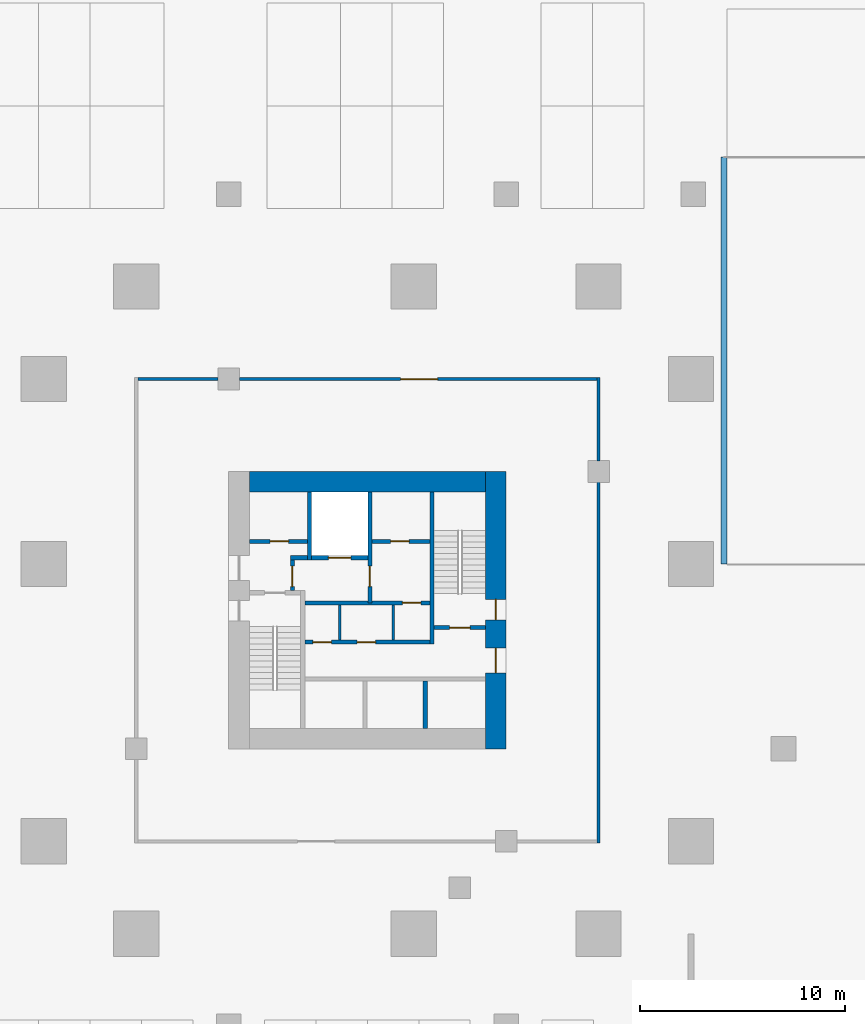
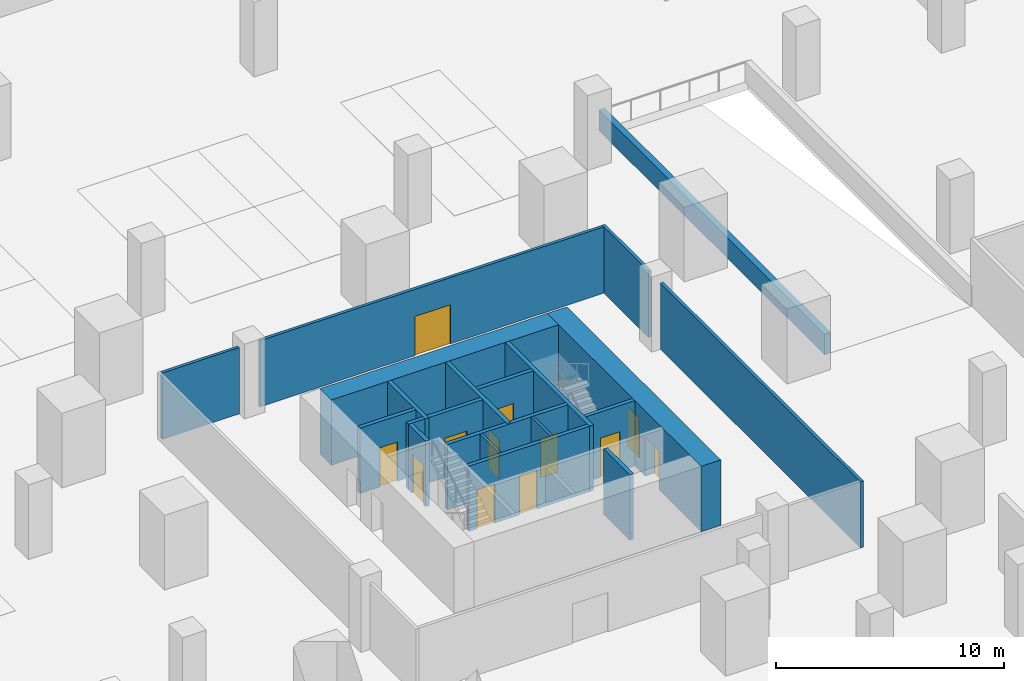
# One storey, part 8 of 31: 21 walls, 12 doors, 12 openings.
"""IFC4 building model written with IfcOpenShell, lengths in metres."""

from ifc_helpers import new_model, si_unit, direction, frame, frame_2d, origin, place, context, subcontext, project, spatial, rectangle, extrude, material, layer, layer_set, type_object, element, fill, save


model = new_model("IFC4")

# Units and contexts
model_context = context("Model", 3, precision=1e-05, world=origin(), true_north=direction((0.0, 1.0)))
body_context = subcontext(model_context, "Body", "Model", "MODEL_VIEW")
ifc_project = project(units=[si_unit("LENGTHUNIT", "METRE"), si_unit("AREAUNIT", "SQUARE_METRE"), si_unit("VOLUMEUNIT", "CUBIC_METRE"), si_unit("PLANEANGLEUNIT", "RADIAN"), si_unit("MASSUNIT", "GRAM", prefix="KILO")], contexts=[model_context])

# Site, building, storey
site_placement = place(None, origin())
site = spatial("IfcSite", under=ifc_project, at=site_placement, CompositionType="ELEMENT")
building_placement = place(site_placement, origin())
building = spatial("IfcBuilding", under=site, at=building_placement, Name="Altepetl Exchange Towers", CompositionType="ELEMENT")
storey_placement = place(building_placement, frame((0.0, 0.0, -4.0)))
storey = spatial("IfcBuildingStorey", under=building, at=storey_placement, Name="B1 Basement services", CompositionType="ELEMENT", Elevation=-4.0)

# Wall, openings, doors
ifc_material_1 = material(Name="Concrete C70/85", Category="concrete")
ifc_layer_1 = layer(ifc_material_1, 1.0)
ifc_layer_set_1 = layer_set([ifc_layer_1], Name="Concrete C70/85")
wall_type_1 = type_object("IfcWallType", Name="Core wall 1000 reinforced concrete", PredefinedType="SHEAR", material=ifc_layer_set_1)
wall_1_placement = place(storey_placement, frame((116.5, 36.0, 0.0), z_axis=(0.0, 0.0, 1.0), x_axis=(0.0, 1.0, 0.0)))
wall_1 = element("IfcWall", 1, at=wall_1_placement, inside=storey, type_object=wall_type_1, Name="wall:B:B1:K-coreE", PredefinedType="SHEAR", context=body_context, shape_type="SweptSolid", body=[
    extrude(rectangle(XDim=13.5, YDim=1.0, at=frame_2d((6.75, 0.0))), origin(), (0.0, 0.0, 1.0), 3.5),
])
opening_1_placement = place(wall_1_placement, frame((3.699951171875, 0.0, 0.0)))
opening_1 = element("IfcOpeningElement", 2, at=opening_1_placement, cuts=wall_1, Name="Opening B1.B61", PredefinedType="OPENING", context=body_context, shape_type="SweptSolid", body=[
    extrude(rectangle(XDim=1.199951171875, YDim=2.10009765625, at=frame_2d((0.60009765625, 1.050048828125))), frame((0.0, 0.510009765625, 0.0), z_axis=(0.0, -1.0, 0.0), x_axis=(1.0, 0.0, 0.0)), (0.0, 0.0, 1.0), 1.02001953125),
])
opening_2_placement = place(wall_1_placement, frame((6.27490234375, 0.0, 0.0)))
opening_2 = element("IfcOpeningElement", 3, at=opening_2_placement, cuts=wall_1, Name="Opening B1.B65", PredefinedType="OPENING", context=body_context, shape_type="SweptSolid", body=[
    extrude(rectangle(XDim=1.0, YDim=2.10009765625, at=frame_2d((0.5, 1.050048828125))), frame((0.0, 0.510009765625, 0.0), z_axis=(0.0, -1.0, 0.0), x_axis=(1.0, 0.0, 0.0)), (0.0, 0.0, 1.0), 1.02001953125),
])
ifc_material_2 = material(Name="Steel and timber fire door", Category="steel")
door_type_1 = type_object("IfcDoorType", Name="Fire door 1000 x 2100 stair and lobby", OperationType="SINGLE_SWING_LEFT", PredefinedType="DOOR", material=ifc_material_2)
door_1_placement = place(opening_2_placement, origin())
door_1 = element("IfcDoor", 4, at=door_1_placement, inside=storey, type_object=door_type_1, Name="door:B:B1:K-dS2x", OperationType="SINGLE_SWING_LEFT", OverallHeight=2.10009765625, OverallWidth=1.0, PredefinedType="DOOR", context=body_context, shape_type="SweptSolid", body=[
    extrude(rectangle(XDim=1.0, YDim=2.10009765625, at=frame_2d((0.5, 1.050048828125))), frame((0.0, 0.02490234375, 0.0), z_axis=(0.0, -1.0, 0.0), x_axis=(1.0, 0.0, 0.0)), (0.0, 0.0, 1.0), 0.050048828125),
])
fill(opening_2, door_1)
door_type_2 = type_object("IfcDoorType", Name="Fire door 1200 x 2100 lobby entry", OperationType="SINGLE_SWING_LEFT", PredefinedType="DOOR", material=ifc_material_2)
door_2_placement = place(opening_1_placement, origin())
door_2 = element("IfcDoor", 5, at=door_2_placement, inside=storey, type_object=door_type_2, Name="door:B:B1:K-dLSE", OperationType="SINGLE_SWING_RIGHT", OverallHeight=2.10009765625, OverallWidth=1.199951171875, PredefinedType="DOOR", context=body_context, shape_type="SweptSolid", body=[
    extrude(rectangle(XDim=1.199951171875, YDim=2.10009765625, at=frame_2d((0.60009765625, 1.050048828125))), frame((0.0, 0.02490234375, 0.0), z_axis=(0.0, -1.0, 0.0), x_axis=(1.0, 0.0, 0.0)), (0.0, 0.0, 1.0), 0.050048828125),
])
fill(opening_1, door_2)

# Walls
wall_2_placement = place(storey_placement, frame((104.5, 49.0, 0.0)))
element("IfcWall", 6, at=wall_2_placement, inside=storey, type_object=wall_type_1, Name="wall:B:B1:K-coreN", PredefinedType="SHEAR", context=body_context, shape_type="SweptSolid", body=[
    extrude(rectangle(XDim=11.5, YDim=1.0, at=frame_2d((5.75, 0.0))), origin(), (0.0, 0.0, 1.0), 3.5),
])
ifc_material_3 = material(Name="Concrete blockwork", Category="masonry")
ifc_layer_2 = layer(ifc_material_3, 0.199951171875)
ifc_layer_set_2 = layer_set([ifc_layer_2], Name="Concrete blockwork")
wall_type_2 = type_object("IfcWallType", Name="Lobby wall 200 blockwork", PredefinedType="PARTITIONING", material=ifc_layer_set_2)
wall_3_placement = place(storey_placement, frame((106.5, 45.300048828125, 0.0)))
element("IfcWall", 7, at=wall_3_placement, inside=storey, type_object=wall_type_2, Name="wall:B:B1:K-ffNw", PredefinedType="PARTITIONING", context=body_context, shape_type="SweptSolid", body=[
    extrude(rectangle(XDim=0.833251953125, YDim=0.199951171875, at=frame_2d((0.41650390625, 0.0))), origin(), (0.0, 0.0, 1.0), 3.5),
])

# Wall, opening, door
wall_4_placement = place(storey_placement, frame((106.60009765625, 43.699951171875, 0.0), z_axis=(0.0, 0.0, 1.0), x_axis=(0.0, 1.0, 0.0)))
wall_4 = element("IfcWall", 8, at=wall_4_placement, inside=storey, type_object=wall_type_2, Name="wall:B:B1:K-ffW", PredefinedType="PARTITIONING", context=body_context, shape_type="SweptSolid", body=[
    extrude(rectangle(XDim=1.5, YDim=0.199951171875, at=frame_2d((0.75, 0.0))), origin(), (0.0, 0.0, 1.0), 3.5),
])
opening_3_placement = place(wall_4_placement, frame((0.199951171875, 0.0, 0.0)))
opening_3 = element("IfcOpeningElement", 9, at=opening_3_placement, cuts=wall_4, Name="Opening B1.B67", PredefinedType="OPENING", context=body_context, shape_type="SweptSolid", body=[
    extrude(rectangle(XDim=1.0, YDim=2.10009765625, at=frame_2d((0.5, 1.050048828125))), frame((0.0, 0.10986328125, 0.0), z_axis=(0.0, -1.0, 0.0), x_axis=(1.0, 0.0, 0.0)), (0.0, 0.0, 1.0), 0.219970703125),
])
door_3_placement = place(opening_3_placement, frame((1.0, 0.0, 0.0), x_axis=(-1.0, 0.0, 0.0)))
door_3 = element("IfcDoor", 10, at=door_3_placement, inside=storey, type_object=door_type_1, Name="door:B:B1:K-dffW", OperationType="SINGLE_SWING_LEFT", OverallHeight=2.10009765625, OverallWidth=1.0, PredefinedType="DOOR", context=body_context, shape_type="SweptSolid", body=[
    extrude(rectangle(XDim=1.0, YDim=2.10009765625, at=frame_2d((0.5, 1.050048828125))), frame((0.0, 0.02490234375, 0.0), z_axis=(0.0, -1.0, 0.0), x_axis=(1.0, 0.0, 0.0)), (0.0, 0.0, 1.0), 0.050048828125),
])
fill(opening_3, door_3)

wall_5_placement = place(storey_placement, frame((107.199951171875, 43.10009765625, 0.0)))
wall_5 = element("IfcWall", 11, at=wall_5_placement, inside=storey, type_object=wall_type_2, Name="wall:B:B1:K-zoneN", PredefinedType="PARTITIONING", context=body_context, shape_type="SweptSolid", body=[
    extrude(rectangle(XDim=6.10009765625, YDim=0.199951171875, at=frame_2d((3.050048828125, 0.0))), origin(), (0.0, 0.0, 1.0), 3.5),
])
opening_4_placement = place(wall_5_placement, frame((4.75, 0.0, 0.0)))
opening_4 = element("IfcOpeningElement", 12, at=opening_4_placement, cuts=wall_5, Name="Opening B1.B72", PredefinedType="OPENING", context=body_context, shape_type="SweptSolid", body=[
    extrude(rectangle(XDim=0.89990234375, YDim=2.10009765625, at=frame_2d((0.449951171875, 1.050048828125))), frame((0.0, 0.10986328125, 0.0), z_axis=(0.0, -1.0, 0.0), x_axis=(1.0, 0.0, 0.0)), (0.0, 0.0, 1.0), 0.219970703125),
])
door_type_3 = type_object("IfcDoorType", Name="Fire door 900 x 2100 service room", OperationType="SINGLE_SWING_LEFT", PredefinedType="DOOR", material=ifc_material_2)
door_4_placement = place(opening_4_placement, frame((0.89990234375, 0.0, 0.0), x_axis=(-1.0, 0.0, 0.0)))
door_4 = element("IfcDoor", 13, at=door_4_placement, inside=storey, type_object=door_type_3, Name="door:B:B1:K-dz3", OperationType="SINGLE_SWING_RIGHT", OverallHeight=2.10009765625, OverallWidth=0.89990234375, PredefinedType="DOOR", context=body_context, shape_type="SweptSolid", body=[
    extrude(rectangle(XDim=0.89990234375, YDim=2.10009765625, at=frame_2d((0.449951171875, 1.050048828125))), frame((0.0, 0.02490234375, 0.0), z_axis=(0.0, -1.0, 0.0), x_axis=(1.0, 0.0, 0.0)), (0.0, 0.0, 1.0), 0.050048828125),
])
fill(opening_4, door_4)

# Wall, openings, doors
wall_6_placement = place(storey_placement, frame((107.199951171875, 41.199951171875, 0.0)))
wall_6 = element("IfcWall", 14, at=wall_6_placement, inside=storey, type_object=wall_type_2, Name="wall:B:B1:K-zoneS", PredefinedType="PARTITIONING", context=body_context, shape_type="SweptSolid", body=[
    extrude(rectangle(XDim=6.10009765625, YDim=0.199951171875, at=frame_2d((3.050048828125, 0.0))), origin(), (0.0, 0.0, 1.0), 3.5),
])
opening_5_placement = place(wall_6_placement, frame((0.39990234375, 0.0, 0.0)))
opening_5 = element("IfcOpeningElement", 15, at=opening_5_placement, cuts=wall_6, Name="Opening B1.B70", PredefinedType="OPENING", context=body_context, shape_type="SweptSolid", body=[
    extrude(rectangle(XDim=0.89990234375, YDim=2.10009765625, at=frame_2d((0.449951171875, 1.050048828125))), frame((0.0, 0.10986328125, 0.0), z_axis=(0.0, -1.0, 0.0), x_axis=(1.0, 0.0, 0.0)), (0.0, 0.0, 1.0), 0.219970703125),
])
opening_6_placement = place(wall_6_placement, frame((2.550048828125, 0.0, 0.0)))
opening_6 = element("IfcOpeningElement", 16, at=opening_6_placement, cuts=wall_6, Name="Opening B1.B71", PredefinedType="OPENING", context=body_context, shape_type="SweptSolid", body=[
    extrude(rectangle(XDim=0.89990234375, YDim=2.10009765625, at=frame_2d((0.449951171875, 1.050048828125))), frame((0.0, 0.10986328125, 0.0), z_axis=(0.0, -1.0, 0.0), x_axis=(1.0, 0.0, 0.0)), (0.0, 0.0, 1.0), 0.219970703125),
])
door_5_placement = place(opening_5_placement, origin())
door_5 = element("IfcDoor", 17, at=door_5_placement, inside=storey, type_object=door_type_3, Name="door:B:B1:K-dz1", OperationType="SINGLE_SWING_RIGHT", OverallHeight=2.10009765625, OverallWidth=0.89990234375, PredefinedType="DOOR", context=body_context, shape_type="SweptSolid", body=[
    extrude(rectangle(XDim=0.89990234375, YDim=2.10009765625, at=frame_2d((0.449951171875, 1.050048828125))), frame((0.0, 0.02490234375, 0.0), z_axis=(0.0, -1.0, 0.0), x_axis=(1.0, 0.0, 0.0)), (0.0, 0.0, 1.0), 0.050048828125),
])
fill(opening_5, door_5)
door_6_placement = place(opening_6_placement, origin())
door_6 = element("IfcDoor", 18, at=door_6_placement, inside=storey, type_object=door_type_3, Name="door:B:B1:K-dz2", OperationType="SINGLE_SWING_LEFT", OverallHeight=2.10009765625, OverallWidth=0.89990234375, PredefinedType="DOOR", context=body_context, shape_type="SweptSolid", body=[
    extrude(rectangle(XDim=0.89990234375, YDim=2.10009765625, at=frame_2d((0.449951171875, 1.050048828125))), frame((0.0, 0.02490234375, 0.0), z_axis=(0.0, -1.0, 0.0), x_axis=(1.0, 0.0, 0.0)), (0.0, 0.0, 1.0), 0.050048828125),
])
fill(opening_6, door_6)

# Walls
ifc_material_4 = material(Name="Gypsum board on steel studs", Category="steel")
ifc_layer_3 = layer(ifc_material_4, 0.125)
ifc_layer_set_3 = layer_set([ifc_layer_3], Name="Gypsum board on steel studs")
wall_type_3 = type_object("IfcWallType", Name="Partition 125 gypsum board on steel studs", PredefinedType="PARTITIONING", material=ifc_layer_set_3)
for number, where, z_axis, x_axis, name in (
    (19, (108.89990234375, 41.300048828125, 0.0), (0.0, 0.0, 1.0), (0.0, 1.0, 0.0), "wall:B:B1:K-zp1"),
    (20, (111.5, 41.300048828125, 0.0), (0.0, 0.0, 1.0), (0.0, 1.0, 0.0), "wall:B:B1:K-zp2"),
):
    element("IfcWall", number, at=place(storey_placement, frame(where, z_axis=z_axis, x_axis=x_axis)), inside=storey, type_object=wall_type_3, Name=name, PredefinedType="PARTITIONING", context=body_context, shape_type="SweptSolid", body=[
        extrude(rectangle(XDim=1.699951171875, YDim=0.125, at=frame_2d((0.85009765625, 0.0))), origin(), (0.0, 0.0, 1.0), 3.5),
    ])
ifc_layer_4 = layer(ifc_material_4, 0.14990234375)
ifc_layer_set_4 = layer_set([ifc_layer_4], Name="Gypsum board on steel studs")
wall_type_4 = type_object("IfcWallType", Name="Podium partition 150", PredefinedType="PARTITIONING", material=ifc_layer_set_4)
wall_7_placement = place(storey_placement, frame((121.5, 31.425048828125, 0.0), z_axis=(0.0, 0.0, 1.0), x_axis=(0.0, 1.0, 0.0)))
element("IfcWall", 21, at=wall_7_placement, inside=storey, type_object=wall_type_4, Name="wall:P:B1:P044", PredefinedType="PARTITIONING", context=body_context, shape_type="SweptSolid", body=[
    extrude(rectangle(XDim=17.554931640625, YDim=0.14990234375, at=frame_2d((8.77734375, 0.0))), origin(), (0.0, 0.0, 1.0), 3.550048828125),
])
wall_8_placement = place(storey_placement, frame((121.5, 50.02001953125, 0.0), z_axis=(0.0, 0.0, 1.0), x_axis=(0.0, 1.0, 0.0)))
element("IfcWall", 22, at=wall_8_placement, inside=storey, type_object=wall_type_4, Name="wall:P:B1:P045", PredefinedType="PARTITIONING", context=body_context, shape_type="SweptSolid", body=[
    extrude(rectangle(XDim=4.054931640625, YDim=0.14990234375, at=frame_2d((2.02734375, 0.0))), origin(), (0.0, 0.0, 1.0), 3.550048828125),
])
wall_9_placement = place(storey_placement, frame((99.074951171875, 54.0, 0.0)))
element("IfcWall", 23, at=wall_9_placement, inside=storey, type_object=wall_type_4, Name="wall:P:B1:P048", PredefinedType="PARTITIONING", context=body_context, shape_type="SweptSolid", body=[
    extrude(rectangle(XDim=3.905029296875, YDim=0.14990234375, at=frame_2d((1.95263671875, 0.0))), origin(), (0.0, 0.0, 1.0), 3.550048828125),
])

# Wall, opening, door
wall_10_placement = place(storey_placement, frame((104.02001953125, 54.0, 0.0)))
wall_10 = element("IfcWall", 24, at=wall_10_placement, inside=storey, type_object=wall_type_4, Name="wall:P:B1:P049", PredefinedType="PARTITIONING", context=body_context, shape_type="SweptSolid", body=[
    extrude(rectangle(XDim=17.405029296875, YDim=0.14990234375, at=frame_2d((8.70263671875, 0.0))), origin(), (0.0, 0.0, 1.0), 3.550048828125),
])
opening_7_placement = place(wall_10_placement, frame((7.85009765625, 0.0, 0.0)))
opening_7 = element("IfcOpeningElement", 25, at=opening_7_placement, cuts=wall_10, Name="Opening B1.P024", PredefinedType="OPENING", context=body_context, shape_type="SweptSolid", body=[
    extrude(rectangle(XDim=1.800048828125, YDim=2.10009765625, at=frame_2d((0.89990234375, 1.050048828125))), frame((0.0, 0.0849609375, 0.0), z_axis=(0.0, -1.0, 0.0), x_axis=(1.0, 0.0, 0.0)), (0.0, 0.0, 1.0), 0.169921875),
])
ifc_material_5 = material(Name="Glazed aluminium and steel", Category="steel")
door_type_4 = type_object("IfcDoorType", Name="Podium fire door 1800 x 2100 double leaf", OperationType="DOUBLE_DOOR_SINGLE_SWING", PredefinedType="DOOR", material=ifc_material_5)
door_7_placement = place(opening_7_placement, frame((1.800048828125, 0.0, 0.0), x_axis=(-1.0, 0.0, 0.0)))
door_7 = element("IfcDoor", 26, at=door_7_placement, inside=storey, type_object=door_type_4, Name="door:P:B1:024", OperationType="DOUBLE_DOOR_SINGLE_SWING", OverallHeight=2.10009765625, OverallWidth=1.800048828125, PredefinedType="DOOR", context=body_context, shape_type="SweptSolid", body=[
    extrude(rectangle(XDim=1.800048828125, YDim=2.10009765625, at=frame_2d((0.89990234375, 1.050048828125))), frame((0.0, 0.02490234375, 0.0), z_axis=(0.0, -1.0, 0.0), x_axis=(1.0, 0.0, 0.0)), (0.0, 0.0, 1.0), 0.050048828125),
])
fill(opening_7, door_7)

# Walls
ifc_material_6 = material(Name="Reinforced concrete C35/45", Category="concrete")
ifc_layer_5 = layer(ifc_material_6, 0.300048828125)
ifc_layer_set_5 = layer_set([ifc_layer_5], Name="Reinforced concrete C35/45")
wall_type_5 = type_object("IfcWallType", Name="Ramp retaining wall 300", PredefinedType="SOLIDWALL", material=ifc_layer_set_5)
wall_11_placement = place(storey_placement, frame((127.60009765625, 45.0, 0.0), z_axis=(0.0, 0.0, 1.0), x_axis=(0.0, 1.0, 0.0)))
element("IfcWall", 27, at=wall_11_placement, inside=storey, type_object=wall_type_5, Name="wall:P:B1:rampR2W", PredefinedType="SOLIDWALL", context=body_context, shape_type="SweptSolid", body=[
    extrude(rectangle(XDim=19.800048828125, YDim=0.300048828125, at=frame_2d((9.89990234375, 0.0))), origin(), (0.0, 0.0, 1.0), 1.10009765625),
])
ifc_material_7 = material(Name="Concrete C40/50", Category="concrete")
ifc_layer_6 = layer(ifc_material_7, 0.199951171875)
ifc_layer_set_6 = layer_set([ifc_layer_6], Name="Concrete C40/50")
wall_type_6 = type_object("IfcWallType", Name="Shaft wall 200 reinforced concrete", PredefinedType="SHEAR", material=ifc_layer_set_6)
wall_12_placement = place(storey_placement, frame((107.433349609375, 48.5, 0.0), z_axis=(0.0, 0.0, 1.0), x_axis=(0.0, -1.0, 0.0)))
element("IfcWall", 28, at=wall_12_placement, inside=storey, type_object=wall_type_6, Name="wall:B:B1:K-divN1", PredefinedType="SHEAR", context=body_context, shape_type="SweptSolid", body=[
    extrude(rectangle(XDim=3.300048828125, YDim=0.199951171875, at=frame_2d((1.64990234375, 0.0))), origin(), (0.0, 0.0, 1.0), 3.5),
])

# Wall, opening, door
wall_13_placement = place(storey_placement, frame((110.36669921875, 48.5, 0.0), z_axis=(0.0, 0.0, 1.0), x_axis=(0.0, -1.0, 0.0)))
wall_13 = element("IfcWall", 29, at=wall_13_placement, inside=storey, type_object=wall_type_6, Name="wall:B:B1:K-divN2", PredefinedType="SHEAR", context=body_context, shape_type="SweptSolid", body=[
    extrude(rectangle(XDim=5.39990234375, YDim=0.199951171875, at=frame_2d((2.699951171875, 0.0))), origin(), (0.0, 0.0, 1.0), 3.5),
])
opening_8_placement = place(wall_13_placement, frame((3.60009765625, 0.0, 0.0)))
opening_8 = element("IfcOpeningElement", 30, at=opening_8_placement, cuts=wall_13, Name="Opening B1.B66", PredefinedType="OPENING", context=body_context, shape_type="SweptSolid", body=[
    extrude(rectangle(XDim=1.0, YDim=2.10009765625, at=frame_2d((0.5, 1.050048828125))), frame((0.0, 0.10986328125, 0.0), z_axis=(0.0, -1.0, 0.0), x_axis=(1.0, 0.0, 0.0)), (0.0, 0.0, 1.0), 0.219970703125),
])
door_8_placement = place(opening_8_placement, frame((1.0, 0.0, 0.0), x_axis=(-1.0, 0.0, 0.0)))
door_8 = element("IfcDoor", 31, at=door_8_placement, inside=storey, type_object=door_type_1, Name="door:B:B1:K-dffE", OperationType="SINGLE_SWING_RIGHT", OverallHeight=2.10009765625, OverallWidth=1.0, PredefinedType="DOOR", context=body_context, shape_type="SweptSolid", body=[
    extrude(rectangle(XDim=1.0, YDim=2.10009765625, at=frame_2d((0.5, 1.050048828125))), frame((0.0, 0.02490234375, 0.0), z_axis=(0.0, -1.0, 0.0), x_axis=(1.0, 0.0, 0.0)), (0.0, 0.0, 1.0), 0.050048828125),
])
fill(opening_8, door_8)

# Wall
wall_14_placement = place(storey_placement, frame((113.066650390625, 37.0, 0.0), z_axis=(0.0, 0.0, 1.0), x_axis=(0.0, 1.0, 0.0)))
element("IfcWall", 32, at=wall_14_placement, inside=storey, type_object=wall_type_6, Name="wall:B:B1:K-divS2", PredefinedType="SHEAR", context=body_context, shape_type="SweptSolid", body=[
    extrude(rectangle(XDim=2.300048828125, YDim=0.199951171875, at=frame_2d((1.14990234375, 0.0))), origin(), (0.0, 0.0, 1.0), 3.5),
])

# Wall, opening, door
wall_15_placement = place(storey_placement, frame((104.5, 46.10009765625, 0.0)))
wall_15 = element("IfcWall", 33, at=wall_15_placement, inside=storey, type_object=wall_type_6, Name="wall:B:B1:K-frontNa", PredefinedType="SHEAR", context=body_context, shape_type="SweptSolid", body=[
    extrude(rectangle(XDim=2.833251953125, YDim=0.199951171875, at=frame_2d((1.41650390625, 0.0))), origin(), (0.0, 0.0, 1.0), 3.5),
])
opening_9_placement = place(wall_15_placement, frame((1.0166015625, 0.0, 0.0)))
opening_9 = element("IfcOpeningElement", 34, at=opening_9_placement, cuts=wall_15, Name="Opening B1.B68", PredefinedType="OPENING", context=body_context, shape_type="SweptSolid", body=[
    extrude(rectangle(XDim=0.89990234375, YDim=2.10009765625, at=frame_2d((0.449951171875, 1.050048828125))), frame((0.0, 0.10986328125, 0.0), z_axis=(0.0, -1.0, 0.0), x_axis=(1.0, 0.0, 0.0)), (0.0, 0.0, 1.0), 0.219970703125),
])
door_9_placement = place(opening_9_placement, origin())
door_9 = element("IfcDoor", 35, at=door_9_placement, inside=storey, type_object=door_type_3, Name="door:B:B1:K-dslotN0", OperationType="SINGLE_SWING_RIGHT", OverallHeight=2.10009765625, OverallWidth=0.89990234375, PredefinedType="DOOR", context=body_context, shape_type="SweptSolid", body=[
    extrude(rectangle(XDim=0.89990234375, YDim=2.10009765625, at=frame_2d((0.449951171875, 1.050048828125))), frame((0.0, 0.02490234375, 0.0), z_axis=(0.0, -1.0, 0.0), x_axis=(1.0, 0.0, 0.0)), (0.0, 0.0, 1.0), 0.050048828125),
])
fill(opening_9, door_9)

wall_16_placement = place(storey_placement, frame((110.466796875, 46.10009765625, 0.0)))
wall_16 = element("IfcWall", 36, at=wall_16_placement, inside=storey, type_object=wall_type_6, Name="wall:B:B1:K-frontNb", PredefinedType="SHEAR", context=body_context, shape_type="SweptSolid", body=[
    extrude(rectangle(XDim=2.833251953125, YDim=0.199951171875, at=frame_2d((1.41650390625, 0.0))), origin(), (0.0, 0.0, 1.0), 3.5),
])
opening_10_placement = place(wall_16_placement, frame((0.91650390625, 0.0, 0.0)))
opening_10 = element("IfcOpeningElement", 37, at=opening_10_placement, cuts=wall_16, Name="Opening B1.B69", PredefinedType="OPENING", context=body_context, shape_type="SweptSolid", body=[
    extrude(rectangle(XDim=0.89990234375, YDim=2.10009765625, at=frame_2d((0.449951171875, 1.050048828125))), frame((0.0, 0.10986328125, 0.0), z_axis=(0.0, -1.0, 0.0), x_axis=(1.0, 0.0, 0.0)), (0.0, 0.0, 1.0), 0.219970703125),
])
door_10_placement = place(opening_10_placement, origin())
door_10 = element("IfcDoor", 38, at=door_10_placement, inside=storey, type_object=door_type_3, Name="door:B:B1:K-dslotN2", OperationType="SINGLE_SWING_RIGHT", OverallHeight=2.10009765625, OverallWidth=0.89990234375, PredefinedType="DOOR", context=body_context, shape_type="SweptSolid", body=[
    extrude(rectangle(XDim=0.89990234375, YDim=2.10009765625, at=frame_2d((0.449951171875, 1.050048828125))), frame((0.0, 0.02490234375, 0.0), z_axis=(0.0, -1.0, 0.0), x_axis=(1.0, 0.0, 0.0)), (0.0, 0.0, 1.0), 0.050048828125),
])
fill(opening_10, door_10)

wall_17_placement = place(storey_placement, frame((107.533203125, 45.300048828125, 0.0)))
wall_17 = element("IfcWall", 39, at=wall_17_placement, inside=storey, type_object=wall_type_6, Name="wall:B:B1:K-frontNd", PredefinedType="SHEAR", context=body_context, shape_type="SweptSolid", body=[
    extrude(rectangle(XDim=2.7333984375, YDim=0.199951171875, at=frame_2d((1.36669921875, 0.0))), origin(), (0.0, 0.0, 1.0), 3.5),
])
opening_11_placement = place(wall_17_placement, frame((0.816650390625, 0.0, 0.0)))
opening_11 = element("IfcOpeningElement", 40, at=opening_11_placement, cuts=wall_17, Name="Opening B1.B73", PredefinedType="OPENING", context=body_context, shape_type="SweptSolid", body=[
    extrude(rectangle(XDim=1.10009765625, YDim=2.10009765625, at=frame_2d((0.550048828125, 1.050048828125))), frame((0.0, 0.10986328125, 0.0), z_axis=(0.0, -1.0, 0.0), x_axis=(1.0, 0.0, 0.0)), (0.0, 0.0, 1.0), 0.219970703125),
])
ifc_material_8 = material(Name="Stainless steel", Category="steel")
door_type_5 = type_object("IfcDoorType", Name="Lift landing door 1100 x 2100", OperationType="SLIDING_TO_LEFT", PredefinedType="DOOR", material=ifc_material_8)
door_11_placement = place(opening_11_placement, origin())
door_11 = element("IfcDoor", 41, at=door_11_placement, inside=storey, type_object=door_type_5, Name="Landing door FFL1", OperationType="SLIDING_TO_LEFT", OverallHeight=2.10009765625, OverallWidth=1.10009765625, PredefinedType="DOOR", context=body_context, shape_type="SweptSolid", body=[
    extrude(rectangle(XDim=1.10009765625, YDim=2.10009765625, at=frame_2d((0.550048828125, 1.050048828125))), frame((0.0, 0.02490234375, 0.0), z_axis=(0.0, -1.0, 0.0), x_axis=(1.0, 0.0, 0.0)), (0.0, 0.0, 1.0), 0.050048828125),
])
fill(opening_11, door_11)

ifc_layer_7 = layer(ifc_material_7, 0.199951171875)
ifc_layer_set_7 = layer_set([ifc_layer_7], Name="Concrete C40/50")
wall_type_7 = type_object("IfcWallType", Name="Stair wall 200 reinforced concrete", PredefinedType="SHEAR", material=ifc_layer_set_7)
wall_18_placement = place(storey_placement, frame((113.5, 41.89990234375, 0.0)))
wall_18 = element("IfcWall", 42, at=wall_18_placement, inside=storey, type_object=wall_type_7, Name="wall:B:B1:K-stS2S", PredefinedType="SHEAR", context=body_context, shape_type="SweptSolid", body=[
    extrude(rectangle(XDim=2.5, YDim=0.199951171875, at=frame_2d((1.25, 0.0))), origin(), (0.0, 0.0, 1.0), 3.5),
])
opening_12_placement = place(wall_18_placement, frame((0.75, 0.0, 0.0)))
opening_12 = element("IfcOpeningElement", 43, at=opening_12_placement, cuts=wall_18, Name="Opening B1.B64", PredefinedType="OPENING", context=body_context, shape_type="SweptSolid", body=[
    extrude(rectangle(XDim=1.0, YDim=2.10009765625, at=frame_2d((0.5, 1.050048828125))), frame((0.0, 0.10986328125, 0.0), z_axis=(0.0, -1.0, 0.0), x_axis=(1.0, 0.0, 0.0)), (0.0, 0.0, 1.0), 0.219970703125),
])
door_12_placement = place(opening_12_placement, origin())
door_12 = element("IfcDoor", 44, at=door_12_placement, inside=storey, type_object=door_type_1, Name="door:B:B1:K-dS2in", OperationType="SINGLE_SWING_RIGHT", OverallHeight=2.10009765625, OverallWidth=1.0, PredefinedType="DOOR", context=body_context, shape_type="SweptSolid", body=[
    extrude(rectangle(XDim=1.0, YDim=2.10009765625, at=frame_2d((0.5, 1.050048828125))), frame((0.0, 0.02490234375, 0.0), z_axis=(0.0, -1.0, 0.0), x_axis=(1.0, 0.0, 0.0)), (0.0, 0.0, 1.0), 0.050048828125),
])
fill(opening_12, door_12)

# Wall
wall_19_placement = place(storey_placement, frame((113.39990234375, 41.10009765625, 0.0), z_axis=(0.0, 0.0, 1.0), x_axis=(0.0, 1.0, 0.0)))
element("IfcWall", 45, at=wall_19_placement, inside=storey, type_object=wall_type_7, Name="wall:B:B1:K-stS2W", PredefinedType="SHEAR", context=body_context, shape_type="SweptSolid", body=[
    extrude(rectangle(XDim=7.39990234375, YDim=0.199951171875, at=frame_2d((3.699951171875, 0.0))), origin(), (0.0, 0.0, 1.0), 3.5),
])

save(model, "model.ifc")
